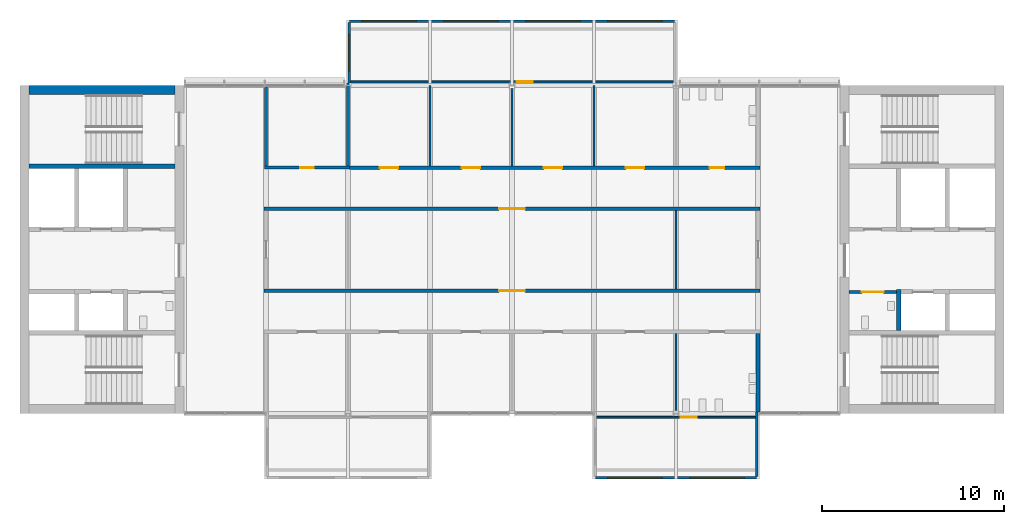
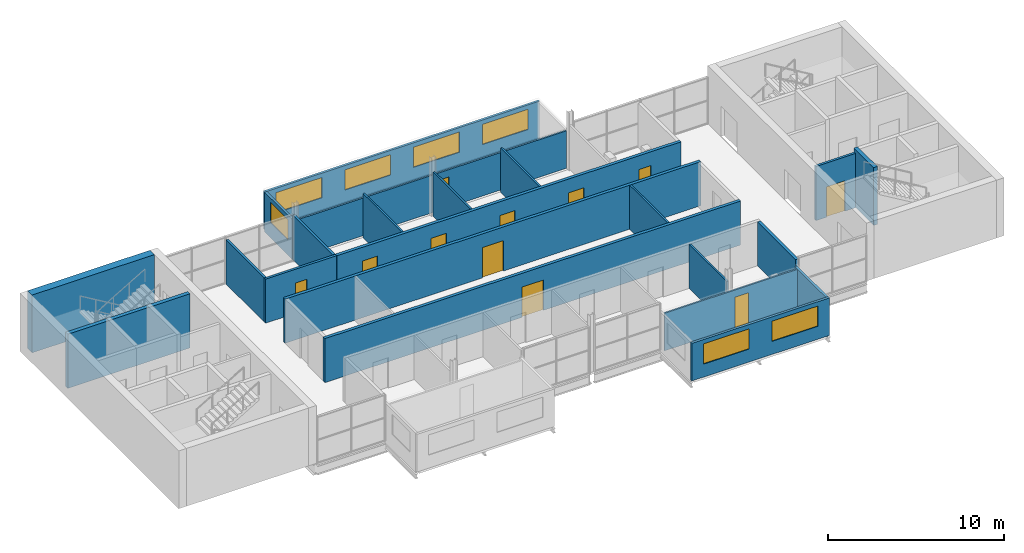
# One storey, part 6 of 10: 22 walls, 11 doors, 7 windows, 18 openings.
"""IFC4 building model written with IfcOpenShell, lengths in metres."""

from ifc_helpers import new_model, si_unit, direction, frame, frame_2d, origin, place, context, subcontext, project, spatial, rectangle, extrude, material, layer, layer_set, type_object, element, fill, save


model = new_model("IFC4")

# Units and contexts
model_context = context("Model", 3, precision=1e-05, world=origin(), true_north=direction((0.0, 1.0)))
body_context = subcontext(model_context, "Body", "Model", "MODEL_VIEW")
ifc_project = project(units=[si_unit("LENGTHUNIT", "METRE"), si_unit("AREAUNIT", "SQUARE_METRE"), si_unit("VOLUMEUNIT", "CUBIC_METRE"), si_unit("PLANEANGLEUNIT", "RADIAN"), si_unit("MASSUNIT", "GRAM", prefix="KILO")], contexts=[model_context])

# Site, building, storey
site_placement = place(None, origin())
site = spatial("IfcSite", under=ifc_project, at=site_placement, CompositionType="ELEMENT")
building_placement = place(site_placement, origin())
building = spatial("IfcBuilding", under=site, at=building_placement, Name="Corbel Yard City Hall", CompositionType="ELEMENT")
storey_placement = place(building_placement, frame((0.0, 0.0, 63.199951171875)))
storey = spatial("IfcBuildingStorey", under=building, at=storey_placement, Name="L15", CompositionType="ELEMENT", Elevation=63.199951171875)

# Walls
ifc_material_1 = material(Name="Concrete N40 (40 MPa)", Category="concrete")
ifc_layer_1 = layer(ifc_material_1, 0.25)
ifc_layer_set_1 = layer_set([ifc_layer_1], Name="Concrete N40 (40 MPa)")
wall_type_1 = type_object("IfcWallType", Name="IW2", PredefinedType="SOLIDWALL", material=ifc_layer_set_1)
wall_1_placement = place(storey_placement, frame((8.5, 112.574951171875, 0.0), z_axis=(0.0, 0.0, 1.0), x_axis=(-1.0, 0.0, 0.0)))
element("IfcWall", 1, at=wall_1_placement, inside=storey, type_object=wall_type_1, Name="Stair enclosure wall", PredefinedType="SOLIDWALL", context=body_context, shape_type="SweptSolid", body=[
    extrude(rectangle(XDim=8.0, YDim=0.25, at=frame_2d((4.0, 0.0))), origin(), (0.0, 0.0, 1.0), 3.75),
])
wall_2_placement = place(storey_placement, frame((48.22509765625, 103.550048828125, 0.0), z_axis=(0.0, 0.0, 1.0), x_axis=(0.0, 1.0, 0.0)))
element("IfcWall", 2, at=wall_2_placement, inside=storey, type_object=wall_type_1, Name="Lift LP25 shaft wall", PredefinedType="SOLIDWALL", context=body_context, shape_type="SweptSolid", body=[
    extrude(rectangle(XDim=2.25, YDim=0.25, at=frame_2d((1.125, 0.0))), origin(), (0.0, 0.0, 1.0), 4.0),
])

# Wall, openings, windows
ifc_material_2 = material(Name="Anodised aluminium", Category="aluminium")
ifc_layer_2 = layer(ifc_material_2, 0.02392578125)
ifc_material_3 = material(Name="Steel Grade G550 (550 MPa yield)", Category="steel")
ifc_layer_3 = layer(ifc_material_3, 0.10009765625)
ifc_material_4 = material(Name="Gypsum plasterboard", Category="gypsum")
ifc_layer_4 = layer(ifc_material_4, 0.02587890625)
ifc_layer_set_2 = layer_set([ifc_layer_2, ifc_layer_3, ifc_layer_4], Name="Steel Grade G550 (550 MPa yield)")
wall_type_2 = type_object("IfcWallType", Name="PD1", PredefinedType="SOLIDWALL", material=ifc_layer_set_2)
wall_3_placement = place(storey_placement, frame((31.5, 95.47509765625, 0.0), z_axis=(0.0, 0.0, 1.0), x_axis=(1.0, 0.0, 0.0)))
wall_3 = element("IfcWall", 3, at=wall_3_placement, inside=storey, type_object=wall_type_2, Name="Pod outer wall L15", PredefinedType="SOLIDWALL", context=body_context, shape_type="SweptSolid", body=[
    extrude(rectangle(XDim=9.0, YDim=0.14990234375, at=frame_2d((4.5, 0.0))), origin(), (0.0, 0.0, 1.0), 2.60009765625),
])
opening_1_placement = place(wall_3_placement, frame((0.75, 0.0, 0.89990234375)))
opening_1 = element("IfcOpeningElement", 4, at=opening_1_placement, cuts=wall_3, Name="Opening WN5", PredefinedType="OPENING", context=body_context, shape_type="SweptSolid", body=[
    extrude(rectangle(XDim=3.0, YDim=1.39990234375, at=frame_2d((1.5, 0.699951171875))), frame((0.0, 0.0849609375, 0.0), z_axis=(0.0, -1.0, 0.0), x_axis=(1.0, 0.0, 0.0)), (0.0, 0.0, 1.0), 0.169921875),
])
opening_2_placement = place(wall_3_placement, frame((5.25, 0.0, 0.89990234375)))
opening_2 = element("IfcOpeningElement", 5, at=opening_2_placement, cuts=wall_3, Name="Opening WN5", PredefinedType="OPENING", context=body_context, shape_type="SweptSolid", body=[
    extrude(rectangle(XDim=3.0, YDim=1.39990234375, at=frame_2d((1.5, 0.699951171875))), frame((0.0, 0.0849609375, 0.0), z_axis=(0.0, -1.0, 0.0), x_axis=(1.0, 0.0, 0.0)), (0.0, 0.0, 1.0), 0.169921875),
])
ifc_material_5 = material(Name="Aluminium frame, double glazed low-e glass", Category="aluminium")
window_type_1 = type_object("IfcWindowType", Name="WN5", PartitioningType="SINGLE_PANEL", PredefinedType="WINDOW", material=ifc_material_5)
window_1_placement = place(opening_1_placement, origin())
window_1 = element("IfcWindow", 6, at=window_1_placement, inside=storey, type_object=window_type_1, Name="Window WN5 L15", OverallHeight=1.39990234375, OverallWidth=3.0, PartitioningType="SINGLE_PANEL", PredefinedType="WINDOW", context=body_context, shape_type="SweptSolid", body=[
    extrude(rectangle(XDim=3.0, YDim=1.39990234375, at=frame_2d((1.5, 0.699951171875))), frame((0.0, 0.030029296875, 0.0), z_axis=(0.0, -1.0, 0.0), x_axis=(1.0, 0.0, 0.0)), (0.0, 0.0, 1.0), 0.06005859375),
])
fill(opening_1, window_1)
window_2_placement = place(opening_2_placement, origin())
window_2 = element("IfcWindow", 7, at=window_2_placement, inside=storey, type_object=window_type_1, Name="Window WN5 L15", OverallHeight=1.39990234375, OverallWidth=3.0, PartitioningType="SINGLE_PANEL", PredefinedType="WINDOW", context=body_context, shape_type="SweptSolid", body=[
    extrude(rectangle(XDim=3.0, YDim=1.39990234375, at=frame_2d((1.5, 0.699951171875))), frame((0.0, 0.030029296875, 0.0), z_axis=(0.0, -1.0, 0.0), x_axis=(1.0, 0.0, 0.0)), (0.0, 0.0, 1.0), 0.06005859375),
])
fill(opening_2, window_2)

wall_4_placement = place(storey_placement, frame((18.0, 120.52490234375, 0.0), z_axis=(0.0, 0.0, 1.0), x_axis=(1.0, 0.0, 0.0)))
wall_4 = element("IfcWall", 8, at=wall_4_placement, inside=storey, type_object=wall_type_2, Name="Pod outer wall L15", PredefinedType="SOLIDWALL", context=body_context, shape_type="SweptSolid", body=[
    extrude(rectangle(XDim=18.0, YDim=0.14990234375, at=frame_2d((9.0, 0.0))), origin(), (0.0, 0.0, 1.0), 2.60009765625),
])
opening_3_placement = place(wall_4_placement, frame((0.75, 0.0, 0.89990234375)))
opening_3 = element("IfcOpeningElement", 9, at=opening_3_placement, cuts=wall_4, Name="Opening WN5", PredefinedType="OPENING", context=body_context, shape_type="SweptSolid", body=[
    extrude(rectangle(XDim=3.0, YDim=1.39990234375, at=frame_2d((1.5, 0.699951171875))), frame((0.0, 0.0849609375, 0.0), z_axis=(0.0, -1.0, 0.0), x_axis=(1.0, 0.0, 0.0)), (0.0, 0.0, 1.0), 0.169921875),
])
opening_4_placement = place(wall_4_placement, frame((5.25, 0.0, 0.89990234375)))
opening_4 = element("IfcOpeningElement", 10, at=opening_4_placement, cuts=wall_4, Name="Opening WN5", PredefinedType="OPENING", context=body_context, shape_type="SweptSolid", body=[
    extrude(rectangle(XDim=3.0, YDim=1.39990234375, at=frame_2d((1.5, 0.699951171875))), frame((0.0, 0.0849609375, 0.0), z_axis=(0.0, -1.0, 0.0), x_axis=(1.0, 0.0, 0.0)), (0.0, 0.0, 1.0), 0.169921875),
])
opening_5_placement = place(wall_4_placement, frame((9.75, 0.0, 0.89990234375)))
opening_5 = element("IfcOpeningElement", 11, at=opening_5_placement, cuts=wall_4, Name="Opening WN5", PredefinedType="OPENING", context=body_context, shape_type="SweptSolid", body=[
    extrude(rectangle(XDim=3.0, YDim=1.39990234375, at=frame_2d((1.5, 0.699951171875))), frame((0.0, 0.0849609375, 0.0), z_axis=(0.0, -1.0, 0.0), x_axis=(1.0, 0.0, 0.0)), (0.0, 0.0, 1.0), 0.169921875),
])
opening_6_placement = place(wall_4_placement, frame((14.25, 0.0, 0.89990234375)))
opening_6 = element("IfcOpeningElement", 12, at=opening_6_placement, cuts=wall_4, Name="Opening WN5", PredefinedType="OPENING", context=body_context, shape_type="SweptSolid", body=[
    extrude(rectangle(XDim=3.0, YDim=1.39990234375, at=frame_2d((1.5, 0.699951171875))), frame((0.0, 0.0849609375, 0.0), z_axis=(0.0, -1.0, 0.0), x_axis=(1.0, 0.0, 0.0)), (0.0, 0.0, 1.0), 0.169921875),
])
window_3_placement = place(opening_3_placement, origin())
window_3 = element("IfcWindow", 13, at=window_3_placement, inside=storey, type_object=window_type_1, Name="Window WN5 L15", OverallHeight=1.39990234375, OverallWidth=3.0, PartitioningType="SINGLE_PANEL", PredefinedType="WINDOW", context=body_context, shape_type="SweptSolid", body=[
    extrude(rectangle(XDim=3.0, YDim=1.39990234375, at=frame_2d((1.5, 0.699951171875))), frame((0.0, 0.030029296875, 0.0), z_axis=(0.0, -1.0, 0.0), x_axis=(1.0, 0.0, 0.0)), (0.0, 0.0, 1.0), 0.06005859375),
])
fill(opening_3, window_3)
window_4_placement = place(opening_4_placement, origin())
window_4 = element("IfcWindow", 14, at=window_4_placement, inside=storey, type_object=window_type_1, Name="Window WN5 L15", OverallHeight=1.39990234375, OverallWidth=3.0, PartitioningType="SINGLE_PANEL", PredefinedType="WINDOW", context=body_context, shape_type="SweptSolid", body=[
    extrude(rectangle(XDim=3.0, YDim=1.39990234375, at=frame_2d((1.5, 0.699951171875))), frame((0.0, 0.030029296875, 0.0), z_axis=(0.0, -1.0, 0.0), x_axis=(1.0, 0.0, 0.0)), (0.0, 0.0, 1.0), 0.06005859375),
])
fill(opening_4, window_4)
window_5_placement = place(opening_5_placement, origin())
window_5 = element("IfcWindow", 15, at=window_5_placement, inside=storey, type_object=window_type_1, Name="Window WN5 L15", OverallHeight=1.39990234375, OverallWidth=3.0, PartitioningType="SINGLE_PANEL", PredefinedType="WINDOW", context=body_context, shape_type="SweptSolid", body=[
    extrude(rectangle(XDim=3.0, YDim=1.39990234375, at=frame_2d((1.5, 0.699951171875))), frame((0.0, 0.030029296875, 0.0), z_axis=(0.0, -1.0, 0.0), x_axis=(1.0, 0.0, 0.0)), (0.0, 0.0, 1.0), 0.06005859375),
])
fill(opening_5, window_5)
window_6_placement = place(opening_6_placement, origin())
window_6 = element("IfcWindow", 16, at=window_6_placement, inside=storey, type_object=window_type_1, Name="Window WN5 L15", OverallHeight=1.39990234375, OverallWidth=3.0, PartitioningType="SINGLE_PANEL", PredefinedType="WINDOW", context=body_context, shape_type="SweptSolid", body=[
    extrude(rectangle(XDim=3.0, YDim=1.39990234375, at=frame_2d((1.5, 0.699951171875))), frame((0.0, 0.030029296875, 0.0), z_axis=(0.0, -1.0, 0.0), x_axis=(1.0, 0.0, 0.0)), (0.0, 0.0, 1.0), 0.06005859375),
])
fill(opening_6, window_6)

# Wall, opening, door
ifc_layer_5 = layer(ifc_material_4, 0.01806640625)
ifc_layer_6 = layer(ifc_material_3, 0.06396484375)
ifc_layer_7 = layer(ifc_material_4, 0.01806640625)
ifc_layer_set_3 = layer_set([ifc_layer_5, ifc_layer_6, ifc_layer_7], Name="Steel Grade G550 (550 MPa yield)")
wall_type_3 = type_object("IfcWallType", Name="PD2", PredefinedType="PARTITIONING", material=ifc_layer_set_3)
wall_5_placement = place(storey_placement, frame((31.64990234375, 98.79638671875, 0.0), z_axis=(0.0, 0.0, 1.0), x_axis=(1.0, 0.0, 0.0)))
wall_5 = element("IfcWall", 17, at=wall_5_placement, inside=storey, type_object=wall_type_3, Name="Pod inner wall L15", PredefinedType="PARTITIONING", context=body_context, shape_type="SweptSolid", body=[
    extrude(rectangle(XDim=8.7001953125, YDim=0.10009765625, at=frame_2d((4.35009765625, 0.0))), origin(), (0.0, 0.0, 1.0), 2.60009765625),
])
opening_7_placement = place(wall_5_placement, frame((4.60009765625, 0.0, 0.0)))
opening_7 = element("IfcOpeningElement", 18, at=opening_7_placement, cuts=wall_5, Name="Opening T4-002", PredefinedType="OPENING", context=body_context, shape_type="SweptSolid", body=[
    extrude(rectangle(XDim=0.89990234375, YDim=2.10009765625, at=frame_2d((0.449951171875, 1.050048828125))), frame((0.0, 0.06005859375, 0.0), z_axis=(0.0, -1.0, 0.0), x_axis=(1.0, 0.0, 0.0)), (0.0, 0.0, 1.0), 0.1201171875),
])
ifc_material_6 = material(Name="Timber, solid core", Category="wood")
door_type_1 = type_object("IfcDoorType", Name="XD6", OperationType="SINGLE_SWING_LEFT", PredefinedType="DOOR", material=ifc_material_6)
door_1_placement = place(opening_7_placement, origin())
door_1 = element("IfcDoor", 19, at=door_1_placement, inside=storey, type_object=door_type_1, Name="Pod door L15", OperationType="SINGLE_SWING_LEFT", OverallHeight=2.10009765625, OverallWidth=0.89990234375, PredefinedType="DOOR", context=body_context, shape_type="SweptSolid", body=[
    extrude(rectangle(XDim=0.89990234375, YDim=2.10009765625, at=frame_2d((0.449951171875, 1.050048828125))), frame((0.0, 0.02490234375, 0.0), z_axis=(0.0, -1.0, 0.0), x_axis=(1.0, 0.0, 0.0)), (0.0, 0.0, 1.0), 0.050048828125),
])
fill(opening_7, door_1)

wall_6_placement = place(storey_placement, frame((18.14990234375, 117.20361328125, 0.0), z_axis=(0.0, 0.0, 1.0), x_axis=(1.0, 0.0, 0.0)))
wall_6 = element("IfcWall", 20, at=wall_6_placement, inside=storey, type_object=wall_type_3, Name="Pod inner wall L15", PredefinedType="PARTITIONING", context=body_context, shape_type="SweptSolid", body=[
    extrude(rectangle(XDim=17.7001953125, YDim=0.10009765625, at=frame_2d((8.85009765625, 0.0))), origin(), (0.0, 0.0, 1.0), 2.60009765625),
])
opening_8_placement = place(wall_6_placement, frame((9.10009765625, 0.0, 0.0)))
opening_8 = element("IfcOpeningElement", 21, at=opening_8_placement, cuts=wall_6, Name="Opening T4-003", PredefinedType="OPENING", context=body_context, shape_type="SweptSolid", body=[
    extrude(rectangle(XDim=0.89990234375, YDim=2.10009765625, at=frame_2d((0.449951171875, 1.050048828125))), frame((0.0, 0.06005859375, 0.0), z_axis=(0.0, -1.0, 0.0), x_axis=(1.0, 0.0, 0.0)), (0.0, 0.0, 1.0), 0.1201171875),
])
door_2_placement = place(opening_8_placement, frame((0.89990234375, 0.0, 0.0), z_axis=(0.0, 0.0, 1.0), x_axis=(-1.0, 0.0, 0.0)))
door_2 = element("IfcDoor", 22, at=door_2_placement, inside=storey, type_object=door_type_1, Name="Pod door L15", OperationType="SINGLE_SWING_RIGHT", OverallHeight=2.10009765625, OverallWidth=0.89990234375, PredefinedType="DOOR", context=body_context, shape_type="SweptSolid", body=[
    extrude(rectangle(XDim=0.89990234375, YDim=2.10009765625, at=frame_2d((0.449951171875, 1.050048828125))), frame((0.0, 0.02490234375, 0.0), z_axis=(0.0, -1.0, 0.0), x_axis=(1.0, 0.0, 0.0)), (0.0, 0.0, 1.0), 0.050048828125),
])
fill(opening_8, door_2)

# Wall
ifc_layer_8 = layer(ifc_material_2, 0.02392578125)
ifc_layer_9 = layer(ifc_material_3, 0.10009765625)
ifc_layer_10 = layer(ifc_material_4, 0.02587890625)
ifc_layer_set_4 = layer_set([ifc_layer_8, ifc_layer_9, ifc_layer_10], Name="Steel Grade G550 (550 MPa yield)")
wall_type_4 = type_object("IfcWallType", Name="PD3", PredefinedType="SOLIDWALL", material=ifc_layer_set_4)
wall_7_placement = place(storey_placement, frame((40.425048828125, 95.550048828125, -0.14990234375), z_axis=(0.0, 0.0, 1.0), x_axis=(0.0, 1.0, 0.0)))
element("IfcWall", 23, at=wall_7_placement, inside=storey, type_object=wall_type_4, Name="Pod side wall L15", PredefinedType="SOLIDWALL", context=body_context, shape_type="SweptSolid", body=[
    extrude(rectangle(XDim=3.52490234375, YDim=0.14990234375, at=frame_2d((1.762451171875, 0.0))), origin(), (0.0, 0.0, 1.0), 2.75),
])

# Wall, opening, window
wall_8_placement = place(storey_placement, frame((18.074951171875, 120.449951171875, -0.14990234375), z_axis=(0.0, 0.0, 1.0), x_axis=(0.0, -1.0, 0.0)))
wall_8 = element("IfcWall", 24, at=wall_8_placement, inside=storey, type_object=wall_type_4, Name="Pod side wall L15", PredefinedType="SOLIDWALL", context=body_context, shape_type="SweptSolid", body=[
    extrude(rectangle(XDim=3.29638671875, YDim=0.14990234375, at=frame_2d((1.648193359375, 0.0))), origin(), (0.0, 0.0, 1.0), 2.75),
])
opening_9_placement = place(wall_8_placement, frame((0.648193359375, 0.0, 1.050048828125)))
opening_9 = element("IfcOpeningElement", 25, at=opening_9_placement, cuts=wall_8, Name="Opening WN6", PredefinedType="OPENING", context=body_context, shape_type="SweptSolid", body=[
    extrude(rectangle(XDim=2.0, YDim=1.39990234375, at=frame_2d((1.0, 0.699951171875))), frame((0.0, 0.0849609375, 0.0), z_axis=(0.0, -1.0, 0.0), x_axis=(1.0, 0.0, 0.0)), (0.0, 0.0, 1.0), 0.169921875),
])
window_type_2 = type_object("IfcWindowType", Name="WN6", PartitioningType="SINGLE_PANEL", PredefinedType="WINDOW", material=ifc_material_5)
window_7_placement = place(opening_9_placement, origin())
window_7 = element("IfcWindow", 26, at=window_7_placement, inside=storey, type_object=window_type_2, Name="Window WN6 L15", OverallHeight=1.39990234375, OverallWidth=2.0, PartitioningType="SINGLE_PANEL", PredefinedType="WINDOW", context=body_context, shape_type="SweptSolid", body=[
    extrude(rectangle(XDim=2.0, YDim=1.39990234375, at=frame_2d((1.0, 0.699951171875))), frame((0.0, 0.030029296875, 0.0), z_axis=(0.0, -1.0, 0.0), x_axis=(1.0, 0.0, 0.0)), (0.0, 0.0, 1.0), 0.06005859375),
])
fill(opening_9, window_7)

# Walls
ifc_layer_11 = layer(ifc_material_4, 0.028076171875)
ifc_layer_12 = layer(ifc_material_3, 0.06396484375)
ifc_layer_13 = layer(ifc_material_4, 0.028076171875)
ifc_layer_set_5 = layer_set([ifc_layer_11, ifc_layer_12, ifc_layer_13], Name="Steel Grade G550 (550 MPa yield)")
wall_type_5 = type_object("IfcWallType", Name="PT1", PredefinedType="PARTITIONING", material=ifc_layer_set_5)
wall_9_placement = place(storey_placement, frame((22.5, 112.60009765625, 0.0), z_axis=(0.0, 0.0, 1.0), x_axis=(0.0, 1.0, 0.0)))
element("IfcWall", 27, at=wall_9_placement, inside=storey, type_object=wall_type_5, Name="Partition", PredefinedType="PARTITIONING", context=body_context, shape_type="SweptSolid", body=[
    extrude(rectangle(XDim=4.39990234375, YDim=0.1201171875, at=frame_2d((2.199951171875, 0.0))), origin(), (0.0, 0.0, 1.0), 3.050048828125),
])
wall_10_placement = place(storey_placement, frame((27.0, 112.60009765625, 0.0), z_axis=(0.0, 0.0, 1.0), x_axis=(0.0, 1.0, 0.0)))
element("IfcWall", 28, at=wall_10_placement, inside=storey, type_object=wall_type_5, Name="Partition", PredefinedType="PARTITIONING", context=body_context, shape_type="SweptSolid", body=[
    extrude(rectangle(XDim=4.242431640625, YDim=0.1201171875, at=frame_2d((2.12109375, 0.0))), origin(), (0.0, 0.0, 1.0), 3.050048828125),
])
wall_11_placement = place(storey_placement, frame((31.5, 112.60009765625, 0.0), z_axis=(0.0, 0.0, 1.0), x_axis=(0.0, 1.0, 0.0)))
element("IfcWall", 29, at=wall_11_placement, inside=storey, type_object=wall_type_5, Name="Partition", PredefinedType="PARTITIONING", context=body_context, shape_type="SweptSolid", body=[
    extrude(rectangle(XDim=4.39990234375, YDim=0.1201171875, at=frame_2d((2.199951171875, 0.0))), origin(), (0.0, 0.0, 1.0), 3.050048828125),
])
wall_12_placement = place(storey_placement, frame((36.0, 99.157470703125, 0.0), z_axis=(0.0, 0.0, 1.0), x_axis=(0.0, 1.0, 0.0)))
element("IfcWall", 30, at=wall_12_placement, inside=storey, type_object=wall_type_5, Name="Partition", PredefinedType="PARTITIONING", context=body_context, shape_type="SweptSolid", body=[
    extrude(rectangle(XDim=4.242431640625, YDim=0.1201171875, at=frame_2d((2.12109375, 0.0))), origin(), (0.0, 0.0, 1.0), 3.050048828125),
])
wall_13_placement = place(storey_placement, frame((36.0, 105.85009765625, 0.0), z_axis=(0.0, 0.0, 1.0), x_axis=(0.0, 1.0, 0.0)))
element("IfcWall", 31, at=wall_13_placement, inside=storey, type_object=wall_type_5, Name="Partition", PredefinedType="PARTITIONING", context=body_context, shape_type="SweptSolid", body=[
    extrude(rectangle(XDim=4.2998046875, YDim=0.1201171875, at=frame_2d((2.14990234375, 0.0))), origin(), (0.0, 0.0, 1.0), 3.050048828125),
])

# Wall, opening, door
ifc_layer_14 = layer(ifc_material_4, 0.031982421875)
ifc_layer_15 = layer(ifc_material_3, 0.135986328125)
ifc_layer_16 = layer(ifc_material_4, 0.031982421875)
ifc_layer_set_6 = layer_set([ifc_layer_14, ifc_layer_15, ifc_layer_16], Name="Steel Grade G550 (550 MPa yield)")
wall_type_6 = type_object("IfcWallType", Name="PT2", PredefinedType="PARTITIONING", material=ifc_layer_set_6)
wall_14_placement = place(storey_placement, frame((13.39990234375, 105.75, 0.0), z_axis=(0.0, 0.0, 1.0), x_axis=(1.0, 0.0, 0.0)))
wall_14 = element("IfcWall", 32, at=wall_14_placement, inside=storey, type_object=wall_type_6, Name="Acoustic wall", PredefinedType="PARTITIONING", context=body_context, shape_type="SweptSolid", body=[
    extrude(rectangle(XDim=27.2001953125, YDim=0.199951171875, at=frame_2d((13.60009765625, 0.0))), origin(), (0.0, 0.0, 1.0), 3.050048828125),
])
opening_10_placement = place(wall_14_placement, frame((12.89990234375, 0.0, 0.0)))
opening_10 = element("IfcOpeningElement", 33, at=opening_10_placement, cuts=wall_14, Name="Opening T4-010", PredefinedType="OPENING", context=body_context, shape_type="SweptSolid", body=[
    extrude(rectangle(XDim=1.39990234375, YDim=2.10009765625, at=frame_2d((0.699951171875, 1.050048828125))), frame((0.0, 0.10986328125, 0.0), z_axis=(0.0, -1.0, 0.0), x_axis=(1.0, 0.0, 0.0)), (0.0, 0.0, 1.0), 0.219970703125),
])
ifc_material_7 = material(Name="Timber", Category="wood")
door_type_2 = type_object("IfcDoorType", Name="D48", OperationType="DOUBLE_DOOR_SINGLE_SWING", PredefinedType="DOOR", material=ifc_material_7)
door_3_placement = place(opening_10_placement, origin())
door_3 = element("IfcDoor", 34, at=door_3_placement, inside=storey, type_object=door_type_2, Name="Door Filing Room 1509", OperationType="DOUBLE_DOOR_SINGLE_SWING", OverallHeight=2.10009765625, OverallWidth=1.39990234375, PredefinedType="DOOR", context=body_context, shape_type="SweptSolid", body=[
    extrude(rectangle(XDim=1.39990234375, YDim=2.10009765625, at=frame_2d((0.699951171875, 1.050048828125))), frame((0.0, 0.02490234375, 0.0), z_axis=(0.0, -1.0, 0.0), x_axis=(1.0, 0.0, 0.0)), (0.0, 0.0, 1.0), 0.050048828125),
])
fill(opening_10, door_3)

wall_15_placement = place(storey_placement, frame((13.39990234375, 110.25, 0.0), z_axis=(0.0, 0.0, 1.0), x_axis=(1.0, 0.0, 0.0)))
wall_15 = element("IfcWall", 35, at=wall_15_placement, inside=storey, type_object=wall_type_6, Name="Acoustic wall", PredefinedType="PARTITIONING", context=body_context, shape_type="SweptSolid", body=[
    extrude(rectangle(XDim=27.2001953125, YDim=0.199951171875, at=frame_2d((13.60009765625, 0.0))), origin(), (0.0, 0.0, 1.0), 3.050048828125),
])
opening_11_placement = place(wall_15_placement, frame((12.89990234375, 0.0, 0.0)))
opening_11 = element("IfcOpeningElement", 36, at=opening_11_placement, cuts=wall_15, Name="Opening T4-011", PredefinedType="OPENING", context=body_context, shape_type="SweptSolid", body=[
    extrude(rectangle(XDim=1.39990234375, YDim=2.10009765625, at=frame_2d((0.699951171875, 1.050048828125))), frame((0.0, 0.10986328125, 0.0), z_axis=(0.0, -1.0, 0.0), x_axis=(1.0, 0.0, 0.0)), (0.0, 0.0, 1.0), 0.219970703125),
])
door_4_placement = place(opening_11_placement, origin())
door_4 = element("IfcDoor", 37, at=door_4_placement, inside=storey, type_object=door_type_2, Name="Door Filing Room 1509", OperationType="DOUBLE_DOOR_SINGLE_SWING", OverallHeight=2.10009765625, OverallWidth=1.39990234375, PredefinedType="DOOR", context=body_context, shape_type="SweptSolid", body=[
    extrude(rectangle(XDim=1.39990234375, YDim=2.10009765625, at=frame_2d((0.699951171875, 1.050048828125))), frame((0.0, 0.02490234375, 0.0), z_axis=(0.0, -1.0, 0.0), x_axis=(1.0, 0.0, 0.0)), (0.0, 0.0, 1.0), 0.050048828125),
])
fill(opening_11, door_4)

# Wall, openings, doors
wall_16_placement = place(storey_placement, frame((18.080078125, 112.5, 0.0), z_axis=(0.0, 0.0, 1.0), x_axis=(1.0, 0.0, 0.0)))
wall_16 = element("IfcWall", 38, at=wall_16_placement, inside=storey, type_object=wall_type_6, Name="Acoustic wall", PredefinedType="PARTITIONING", context=body_context, shape_type="SweptSolid", body=[
    extrude(rectangle(XDim=22.52001953125, YDim=0.199951171875, at=frame_2d((11.260009765625, 0.0))), origin(), (0.0, 0.0, 1.0), 3.050048828125),
])
opening_12_placement = place(wall_16_placement, frame((1.669921875, 0.0, 0.0)))
opening_12 = element("IfcOpeningElement", 39, at=opening_12_placement, cuts=wall_16, Name="Opening T4-021", PredefinedType="OPENING", context=body_context, shape_type="SweptSolid", body=[
    extrude(rectangle(XDim=1.0, YDim=2.10009765625, at=frame_2d((0.5, 1.050048828125))), frame((0.0, 0.10986328125, 0.0), z_axis=(0.0, -1.0, 0.0), x_axis=(1.0, 0.0, 0.0)), (0.0, 0.0, 1.0), 0.219970703125),
])
opening_13_placement = place(wall_16_placement, frame((6.169921875, 0.0, 0.0)))
opening_13 = element("IfcOpeningElement", 40, at=opening_13_placement, cuts=wall_16, Name="Opening T4-022", PredefinedType="OPENING", context=body_context, shape_type="SweptSolid", body=[
    extrude(rectangle(XDim=1.0, YDim=2.10009765625, at=frame_2d((0.5, 1.050048828125))), frame((0.0, 0.10986328125, 0.0), z_axis=(0.0, -1.0, 0.0), x_axis=(1.0, 0.0, 0.0)), (0.0, 0.0, 1.0), 0.219970703125),
])
opening_14_placement = place(wall_16_placement, frame((10.669921875, 0.0, 0.0)))
opening_14 = element("IfcOpeningElement", 41, at=opening_14_placement, cuts=wall_16, Name="Opening T4-023", PredefinedType="OPENING", context=body_context, shape_type="SweptSolid", body=[
    extrude(rectangle(XDim=1.0, YDim=2.10009765625, at=frame_2d((0.5, 1.050048828125))), frame((0.0, 0.10986328125, 0.0), z_axis=(0.0, -1.0, 0.0), x_axis=(1.0, 0.0, 0.0)), (0.0, 0.0, 1.0), 0.219970703125),
])
opening_15_placement = place(wall_16_placement, frame((15.169921875, 0.0, 0.0)))
opening_15 = element("IfcOpeningElement", 42, at=opening_15_placement, cuts=wall_16, Name="Opening T4-024", PredefinedType="OPENING", context=body_context, shape_type="SweptSolid", body=[
    extrude(rectangle(XDim=1.0, YDim=2.10009765625, at=frame_2d((0.5, 1.050048828125))), frame((0.0, 0.10986328125, 0.0), z_axis=(0.0, -1.0, 0.0), x_axis=(1.0, 0.0, 0.0)), (0.0, 0.0, 1.0), 0.219970703125),
])
opening_16_placement = place(wall_16_placement, frame((19.77001953125, 0.0, 0.0)))
opening_16 = element("IfcOpeningElement", 43, at=opening_16_placement, cuts=wall_16, Name="Opening T4-025", PredefinedType="OPENING", context=body_context, shape_type="SweptSolid", body=[
    extrude(rectangle(XDim=0.800048828125, YDim=2.10009765625, at=frame_2d((0.39990234375, 1.050048828125))), frame((0.0, 0.10986328125, 0.0), z_axis=(0.0, -1.0, 0.0), x_axis=(1.0, 0.0, 0.0)), (0.0, 0.0, 1.0), 0.219970703125),
])
door_type_3 = type_object("IfcDoorType", Name="D1", OperationType="SINGLE_SWING_LEFT", PredefinedType="DOOR", material=ifc_material_7)
door_5_placement = place(opening_12_placement, origin())
door_5 = element("IfcDoor", 44, at=door_5_placement, inside=storey, type_object=door_type_3, Name="Door Officer's Office 1519", OperationType="SINGLE_SWING_LEFT", OverallHeight=2.10009765625, OverallWidth=1.0, PredefinedType="DOOR", context=body_context, shape_type="SweptSolid", body=[
    extrude(rectangle(XDim=1.0, YDim=2.10009765625, at=frame_2d((0.5, 1.050048828125))), frame((0.0, 0.02490234375, 0.0), z_axis=(0.0, -1.0, 0.0), x_axis=(1.0, 0.0, 0.0)), (0.0, 0.0, 1.0), 0.050048828125),
])
fill(opening_12, door_5)
door_6_placement = place(opening_13_placement, origin())
door_6 = element("IfcDoor", 45, at=door_6_placement, inside=storey, type_object=door_type_3, Name="Door Officer's Office 1520", OperationType="SINGLE_SWING_LEFT", OverallHeight=2.10009765625, OverallWidth=1.0, PredefinedType="DOOR", context=body_context, shape_type="SweptSolid", body=[
    extrude(rectangle(XDim=1.0, YDim=2.10009765625, at=frame_2d((0.5, 1.050048828125))), frame((0.0, 0.02490234375, 0.0), z_axis=(0.0, -1.0, 0.0), x_axis=(1.0, 0.0, 0.0)), (0.0, 0.0, 1.0), 0.050048828125),
])
fill(opening_13, door_6)
door_7_placement = place(opening_14_placement, origin())
door_7 = element("IfcDoor", 46, at=door_7_placement, inside=storey, type_object=door_type_3, Name="Door Officer's Office 1521", OperationType="SINGLE_SWING_LEFT", OverallHeight=2.10009765625, OverallWidth=1.0, PredefinedType="DOOR", context=body_context, shape_type="SweptSolid", body=[
    extrude(rectangle(XDim=1.0, YDim=2.10009765625, at=frame_2d((0.5, 1.050048828125))), frame((0.0, 0.02490234375, 0.0), z_axis=(0.0, -1.0, 0.0), x_axis=(1.0, 0.0, 0.0)), (0.0, 0.0, 1.0), 0.050048828125),
])
fill(opening_14, door_7)
door_8_placement = place(opening_15_placement, origin())
door_8 = element("IfcDoor", 47, at=door_8_placement, inside=storey, type_object=door_type_3, Name="Door Officer's Office 1522", OperationType="SINGLE_SWING_LEFT", OverallHeight=2.10009765625, OverallWidth=1.0, PredefinedType="DOOR", context=body_context, shape_type="SweptSolid", body=[
    extrude(rectangle(XDim=1.0, YDim=2.10009765625, at=frame_2d((0.5, 1.050048828125))), frame((0.0, 0.02490234375, 0.0), z_axis=(0.0, -1.0, 0.0), x_axis=(1.0, 0.0, 0.0)), (0.0, 0.0, 1.0), 0.050048828125),
])
fill(opening_15, door_8)
door_type_4 = type_object("IfcDoorType", Name="D44", OperationType="SINGLE_SWING_LEFT", PredefinedType="DOOR", material=ifc_material_7)
door_9_placement = place(opening_16_placement, origin())
door_9 = element("IfcDoor", 48, at=door_9_placement, inside=storey, type_object=door_type_4, Name="Door Men's WC 1523", OperationType="SINGLE_SWING_LEFT", OverallHeight=2.10009765625, OverallWidth=0.800048828125, PredefinedType="DOOR", context=body_context, shape_type="SweptSolid", body=[
    extrude(rectangle(XDim=0.800048828125, YDim=2.10009765625, at=frame_2d((0.39990234375, 1.050048828125))), frame((0.0, 0.02490234375, 0.0), z_axis=(0.0, -1.0, 0.0), x_axis=(1.0, 0.0, 0.0)), (0.0, 0.0, 1.0), 0.050048828125),
])
fill(opening_16, door_9)

# Wall
wall_17_placement = place(storey_placement, frame((40.5, 99.074951171875, 0.0), z_axis=(0.0, 0.0, 1.0), x_axis=(0.0, 1.0, 0.0)))
element("IfcWall", 49, at=wall_17_placement, inside=storey, type_object=wall_type_6, Name="Acoustic wall", PredefinedType="PARTITIONING", context=body_context, shape_type="SweptSolid", body=[
    extrude(rectangle(XDim=4.324951171875, YDim=0.199951171875, at=frame_2d((2.16259765625, 0.0))), origin(), (0.0, 0.0, 1.0), 3.050048828125),
])

# Wall, opening, door
ifc_layer_17 = layer(ifc_material_4, 0.031982421875)
ifc_layer_18 = layer(ifc_material_3, 0.095947265625)
ifc_layer_19 = layer(ifc_material_4, 0.031982421875)
ifc_layer_set_7 = layer_set([ifc_layer_17, ifc_layer_18, ifc_layer_19], Name="Steel Grade G550 (550 MPa yield)")
wall_type_7 = type_object("IfcWallType", Name="PT3", PredefinedType="PARTITIONING", material=ifc_layer_set_7)
wall_18_placement = place(storey_placement, frame((45.5, 105.675048828125, 0.0), z_axis=(0.0, 0.0, 1.0), x_axis=(1.0, 0.0, 0.0)))
wall_18 = element("IfcWall", 50, at=wall_18_placement, inside=storey, type_object=wall_type_7, Name="Accessible WC wall", PredefinedType="PARTITIONING", context=body_context, shape_type="SweptSolid", body=[
    extrude(rectangle(XDim=2.60009765625, YDim=0.159912109375, at=frame_2d((1.300048828125, 0.0))), origin(), (0.0, 0.0, 1.0), 3.75),
])
opening_17_placement = place(wall_18_placement, frame((0.699951171875, 0.0, 0.0)))
opening_17 = element("IfcOpeningElement", 51, at=opening_17_placement, cuts=wall_18, Name="Opening T4-034", PredefinedType="OPENING", context=body_context, shape_type="SweptSolid", body=[
    extrude(rectangle(XDim=1.199951171875, YDim=2.10009765625, at=frame_2d((0.60009765625, 1.050048828125))), frame((0.0, 0.08984375, 0.0), z_axis=(0.0, -1.0, 0.0), x_axis=(1.0, 0.0, 0.0)), (0.0, 0.0, 1.0), 0.179931640625),
])
ifc_material_8 = material(Name="Steel Grade G250", Category="steel")
door_type_5 = type_object("IfcDoorType", Name="FD7", OperationType="SINGLE_SWING_LEFT", PredefinedType="DOOR", material=ifc_material_8)
door_10_placement = place(opening_17_placement, frame((1.199951171875, 0.0, 0.0), z_axis=(0.0, 0.0, 1.0), x_axis=(-1.0, 0.0, 0.0)))
door_10 = element("IfcDoor", 52, at=door_10_placement, inside=storey, type_object=door_type_5, Name="Door accessible WC East", OperationType="SINGLE_SWING_RIGHT", OverallHeight=2.10009765625, OverallWidth=1.199951171875, PredefinedType="DOOR", context=body_context, shape_type="SweptSolid", body=[
    extrude(rectangle(XDim=1.199951171875, YDim=2.10009765625, at=frame_2d((0.60009765625, 1.050048828125))), frame((0.0, 0.02490234375, 0.0), z_axis=(0.0, -1.0, 0.0), x_axis=(1.0, 0.0, 0.0)), (0.0, 0.0, 1.0), 0.050048828125),
])
fill(opening_17, door_10)

wall_19_placement = place(storey_placement, frame((13.419921875, 112.5, 0.0), z_axis=(0.0, 0.0, 1.0), x_axis=(1.0, 0.0, 0.0)))
wall_19 = element("IfcWall", 53, at=wall_19_placement, inside=storey, type_object=wall_type_7, Name="Fire-resisting wall", PredefinedType="PARTITIONING", context=body_context, shape_type="SweptSolid", body=[
    extrude(rectangle(XDim=4.66015625, YDim=0.159912109375, at=frame_2d((2.330078125, 0.0))), origin(), (0.0, 0.0, 1.0), 3.050048828125),
])
opening_18_placement = place(wall_19_placement, frame((1.955078125, 0.0, 0.0)))
opening_18 = element("IfcOpeningElement", 54, at=opening_18_placement, cuts=wall_19, Name="Opening T4-020", PredefinedType="OPENING", context=body_context, shape_type="SweptSolid", body=[
    extrude(rectangle(XDim=0.75, YDim=2.10009765625, at=frame_2d((0.375, 1.050048828125))), frame((0.0, 0.08984375, 0.0), z_axis=(0.0, -1.0, 0.0), x_axis=(1.0, 0.0, 0.0)), (0.0, 0.0, 1.0), 0.179931640625),
])
door_type_6 = type_object("IfcDoorType", Name="FD42", OperationType="SINGLE_SWING_LEFT", PredefinedType="DOOR", material=ifc_material_8)
door_11_placement = place(opening_18_placement, origin())
door_11 = element("IfcDoor", 55, at=door_11_placement, inside=storey, type_object=door_type_6, Name="Door Cleaners' Room 1518", OperationType="SINGLE_SWING_LEFT", OverallHeight=2.10009765625, OverallWidth=0.75, PredefinedType="DOOR", context=body_context, shape_type="SweptSolid", body=[
    extrude(rectangle(XDim=0.75, YDim=2.10009765625, at=frame_2d((0.375, 1.050048828125))), frame((0.0, 0.02490234375, 0.0), z_axis=(0.0, -1.0, 0.0), x_axis=(1.0, 0.0, 0.0)), (0.0, 0.0, 1.0), 0.050048828125),
])
fill(opening_18, door_11)

# Walls
wall_20_placement = place(storey_placement, frame((13.5, 112.580078125, 0.0), z_axis=(0.0, 0.0, 1.0), x_axis=(0.0, 1.0, 0.0)))
element("IfcWall", 56, at=wall_20_placement, inside=storey, type_object=wall_type_7, Name="Fire-resisting wall", PredefinedType="PARTITIONING", context=body_context, shape_type="SweptSolid", body=[
    extrude(rectangle(XDim=4.329833984375, YDim=0.159912109375, at=frame_2d((2.1650390625, 0.0))), origin(), (0.0, 0.0, 1.0), 3.050048828125),
])
wall_21_placement = place(storey_placement, frame((18.0, 112.60009765625, 0.0), z_axis=(0.0, 0.0, 1.0), x_axis=(0.0, 1.0, 0.0)))
element("IfcWall", 57, at=wall_21_placement, inside=storey, type_object=wall_type_7, Name="Fire-resisting wall", PredefinedType="PARTITIONING", context=body_context, shape_type="SweptSolid", body=[
    extrude(rectangle(XDim=4.553466796875, YDim=0.159912109375, at=frame_2d((2.27685546875, 0.0))), origin(), (0.0, 0.0, 1.0), 3.050048828125),
])
ifc_material_9 = material(Name="Concrete N50 (50 MPa)", Category="concrete")
ifc_layer_20 = layer(ifc_material_9, 0.5)
ifc_layer_set_8 = layer_set([ifc_layer_20], Name="Concrete N50 (50 MPa)")
wall_type_8 = type_object("IfcWallType", Name="Trunk wall 500", PredefinedType="SHEAR", material=ifc_layer_set_8)
wall_22_placement = place(storey_placement, frame((0.5, 116.75, 0.0), z_axis=(0.0, 0.0, 1.0), x_axis=(1.0, 0.0, 0.0)))
element("IfcWall", 58, at=wall_22_placement, inside=storey, type_object=wall_type_8, Name="Trunk W north wall", PredefinedType="SHEAR", context=body_context, shape_type="SweptSolid", body=[
    extrude(rectangle(XDim=8.0, YDim=0.5, at=frame_2d((4.0, 0.0))), origin(), (0.0, 0.0, 1.0), 4.0),
])

save(model, "model.ifc")
